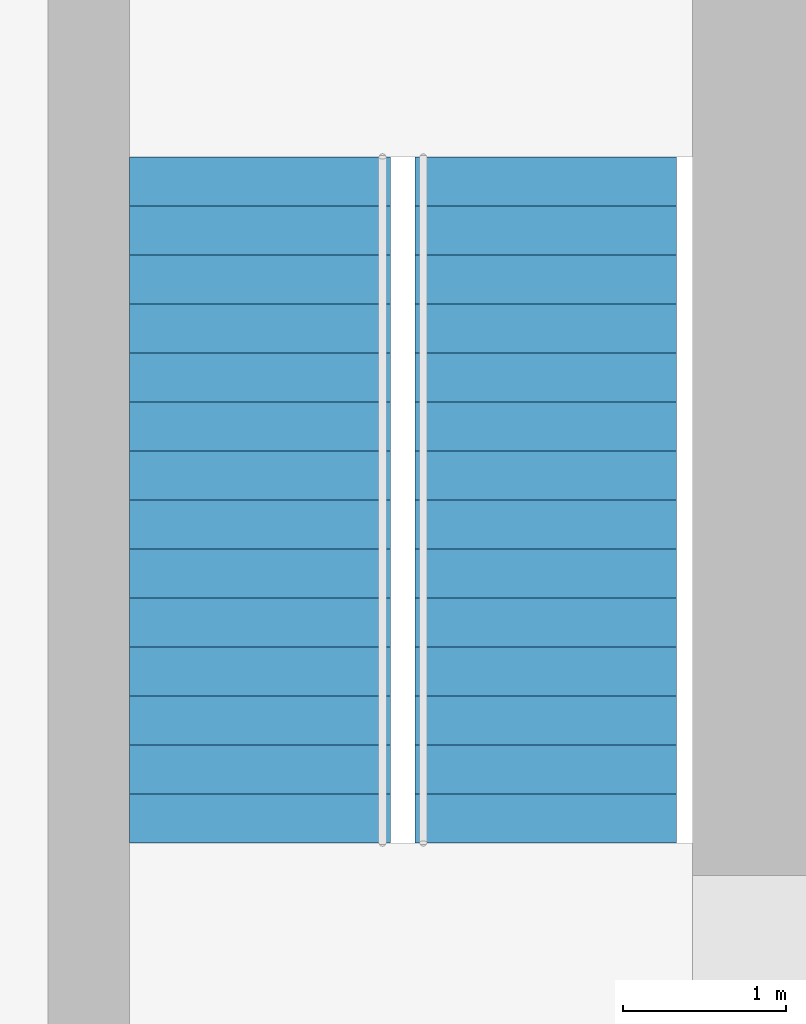
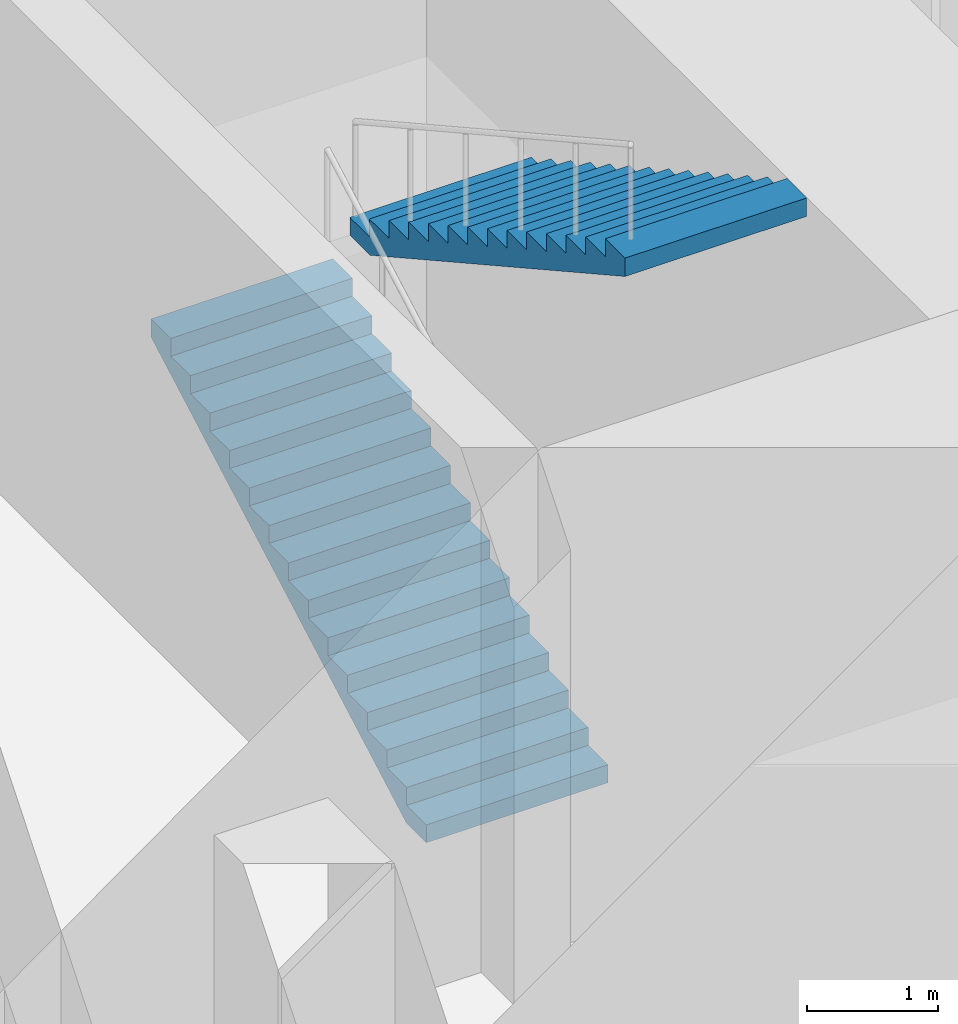
# One storey, part 30 of 33: 2 stair flights, 1 element without a shape of its own.
"""IFC4 building model written with IfcOpenShell, lengths in metres."""

from ifc_helpers import new_model, si_unit, direction, frame, origin, place, context, subcontext, project, spatial, polyline, outline, extrude, material, type_object, element, aggregate, save


model = new_model("IFC4")

# Units and contexts
model_context = context("Model", 3, precision=1e-05, world=origin(), true_north=direction((0.0, 1.0)))
body_context = subcontext(model_context, "Body", "Model", "MODEL_VIEW")
ifc_project = project(units=[si_unit("LENGTHUNIT", "METRE"), si_unit("AREAUNIT", "SQUARE_METRE"), si_unit("VOLUMEUNIT", "CUBIC_METRE"), si_unit("PLANEANGLEUNIT", "RADIAN"), si_unit("MASSUNIT", "GRAM", prefix="KILO")], contexts=[model_context])

# Site, building, storey
site_placement = place(None, origin())
site = spatial("IfcSite", under=ifc_project, at=site_placement, CompositionType="ELEMENT")
building_placement = place(site_placement, origin())
building = spatial("IfcBuilding", under=site, at=building_placement, Name="Dunama Terrace Hotel", CompositionType="ELEMENT")
storey_placement = place(building_placement, frame((0.0, 0.0, 12.0)))
storey = spatial("IfcBuildingStorey", under=building, at=storey_placement, Name="L02", CompositionType="ELEMENT", Elevation=12.0)

# Stair, stair flights
ifc_material_1 = material(Name="Concrete C40/50", Category="concrete")
stair_type = type_object("IfcStairType", Name="Stair ST2-5000-1600", PredefinedType="HALF_TURN_STAIR", material=ifc_material_1)
stair_placement = place(storey_placement, origin())
stair = element("IfcStair", 1, at=stair_placement, inside=storey, type_object=stair_type, Name="Stair ST2 L02", PredefinedType="HALF_TURN_STAIR")
ifc_material_2 = material(Name="Concrete C40/50", Category="concrete")
stair_flight_type = type_object("IfcStairFlightType", Name="Stair flight ST2-5000-1600", PredefinedType="STRAIGHT", material=ifc_material_2)
stair_flight_1_placement = place(storey_placement, frame((38.85009765625, 19.0, 0.0), z_axis=(0.0, 0.0, 1.0), x_axis=(0.0, 1.0, 0.0)))
stair_flight_1 = element("IfcStairFlight", 2, at=stair_flight_1_placement, type_object=stair_flight_type, Name="ST2 flight 1", NumberOfRisers=15, NumberOfTreads=14, PredefinedType="STRAIGHT", RiserHeight=0.166666667, TreadLength=0.3, context=body_context, shape_type="SweptSolid", body=[
    extrude(outline(polyline([(0.0, 0.0), (0.0, 0.166748046875), (0.300048828125, 0.166748046875), (0.300048828125, 0.333251953125), (0.60009765625, 0.333251953125), (0.60009765625, 0.5), (0.89990234375, 0.5), (0.89990234375, 0.666748046875), (1.199951171875, 0.666748046875), (1.199951171875, 0.833251953125), (1.5, 0.833251953125), (1.5, 1.0), (1.800048828125, 1.0), (1.800048828125, 1.166748046875), (2.10009765625, 1.166748046875), (2.10009765625, 1.333251953125), (2.39990234375, 1.333251953125), (2.39990234375, 1.5), (2.699951171875, 1.5), (2.699951171875, 1.666748046875), (3.0, 1.666748046875), (3.0, 1.833251953125), (3.300048828125, 1.833251953125), (3.300048828125, 2.0), (3.60009765625, 2.0), (3.60009765625, 2.166748046875), (3.89990234375, 2.166748046875), (3.89990234375, 2.333251953125), (4.199951171875, 2.333251953125), (4.199951171875, 2.5), (4.199951171875, 2.161865234375), (0.30859375, 0.0), (0.0, 0.0)])), frame((0.0, 0.800048828125, 0.0), z_axis=(0.0, -1.0, 0.0), x_axis=(1.0, 0.0, 0.0)), (0.0, 0.0, 1.0), 1.60009765625),
])
stair_flight_2_placement = place(storey_placement, frame((40.60009765625, 23.199951171875, 2.5), z_axis=(0.0, 0.0, 1.0), x_axis=(0.0, -1.0, 0.0)))
stair_flight_2 = element("IfcStairFlight", 3, at=stair_flight_2_placement, type_object=stair_flight_type, Name="ST2 flight 2", NumberOfRisers=15, NumberOfTreads=14, PredefinedType="STRAIGHT", RiserHeight=0.166666667, TreadLength=0.3, context=body_context, shape_type="SweptSolid", body=[
    extrude(outline(polyline([(0.0, 0.0), (0.0, 0.166748046875), (0.300048828125, 0.166748046875), (0.300048828125, 0.333251953125), (0.60009765625, 0.333251953125), (0.60009765625, 0.5), (0.89990234375, 0.5), (0.89990234375, 0.666748046875), (1.199951171875, 0.666748046875), (1.199951171875, 0.833251953125), (1.5, 0.833251953125), (1.5, 1.0), (1.800048828125, 1.0), (1.800048828125, 1.166748046875), (2.10009765625, 1.166748046875), (2.10009765625, 1.333251953125), (2.39990234375, 1.333251953125), (2.39990234375, 1.5), (2.699951171875, 1.5), (2.699951171875, 1.666748046875), (3.0, 1.666748046875), (3.0, 1.833251953125), (3.300048828125, 1.833251953125), (3.300048828125, 2.0), (3.60009765625, 2.0), (3.60009765625, 2.166748046875), (3.89990234375, 2.166748046875), (3.89990234375, 2.333251953125), (4.199951171875, 2.333251953125), (4.199951171875, 2.5), (4.199951171875, 2.161865234375), (0.30859375, 0.0), (0.0, 0.0)])), frame((0.0, 0.800048828125, 0.0), z_axis=(0.0, -1.0, 0.0), x_axis=(1.0, 0.0, 0.0)), (0.0, 0.0, 1.0), 1.60009765625),
])
aggregate(stair, [stair_flight_1, stair_flight_2])

save(model, "model.ifc")
